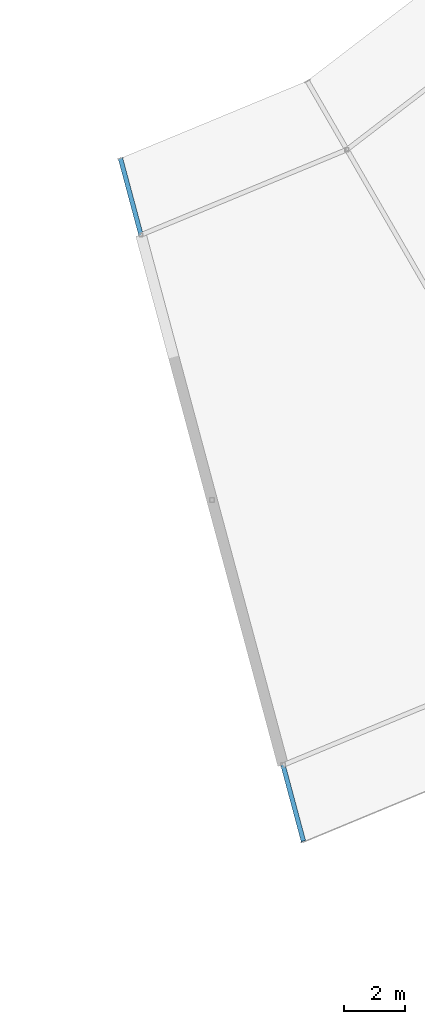
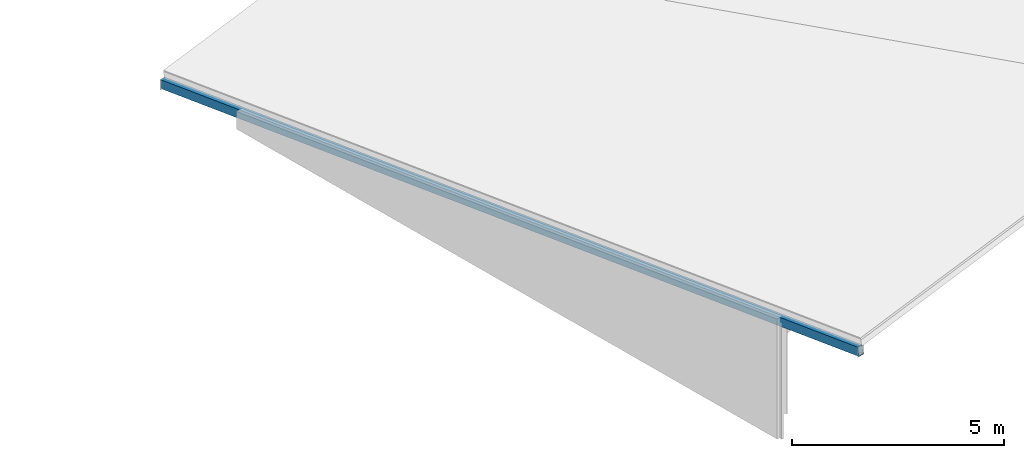
# One storey, part 53 of 185: 1 member.
"""IFC4 building model written with IfcOpenShell, lengths in metres."""

from ifc_helpers import new_model, si_unit, direction, frame, origin, origin_2d, place, context, subcontext, project, spatial, hollow_rectangle, extrude, material, material_profile, profile_set, type_object, element, save


model = new_model("IFC4")

# Units and contexts
model_context = context("Model", 3, precision=1e-05, world=origin(), true_north=direction((0.0, 1.0)))
body_context = subcontext(model_context, "Body", "Model", "MODEL_VIEW")
ifc_project = project(units=[si_unit("LENGTHUNIT", "METRE"), si_unit("AREAUNIT", "SQUARE_METRE"), si_unit("VOLUMEUNIT", "CUBIC_METRE"), si_unit("PLANEANGLEUNIT", "RADIAN"), si_unit("MASSUNIT", "GRAM", prefix="KILO")], contexts=[model_context])

# Site, building, storey
site_placement = place(None, origin())
site = spatial("IfcSite", under=ifc_project, at=site_placement, CompositionType="ELEMENT")
building_placement = place(site_placement, origin())
building = spatial("IfcBuilding", under=site, at=building_placement, Name="Vondelvale Polytechnic", CompositionType="ELEMENT")
storey_placement = place(building_placement, frame((0.0, 0.0, 9.60009765625)))
storey = spatial("IfcBuildingStorey", under=building, at=storey_placement, Name="L02", CompositionType="ELEMENT", Elevation=9.60009765625)

# Member
ifc_material = material(Name="Steel C350L0 (fy = 350 MPa)", Category="steel")
ifc_material_profile = material_profile(ifc_material, hollow_rectangle(XDim=0.14990234375, YDim=0.25, WallThickness=0.006103515625, at=origin_2d()), Name="250x150x6.0RHS")
ifc_profile_set = profile_set([ifc_material_profile], Name="Steel C350L0 (fy = 350 MPa)")
member_type = type_object("IfcMemberType", Name="RAFTER RHS250", PredefinedType="RAFTER", material=ifc_profile_set)
member_placement = place(storey_placement, frame((114.57861328125, 25.055908203125, 3.765625), z_axis=(-0.255414977301, 0.953223857145, -0.161639931762), x_axis=(-0.965925974596, -0.258818491613, 0.0)))
element("IfcMember", 1, at=member_placement, inside=storey, type_object=member_type, Name="Ring inward-sloping rafter 19", PredefinedType="RAFTER", context=body_context, shape_type="SweptSolid", body=[
    extrude(hollow_rectangle(XDim=0.14990234375, YDim=0.25, WallThickness=0.006103515625, at=origin_2d()), origin(), (0.0, 0.0, 1.0), 23.50927734375),
])

save(model, "model.ifc")
